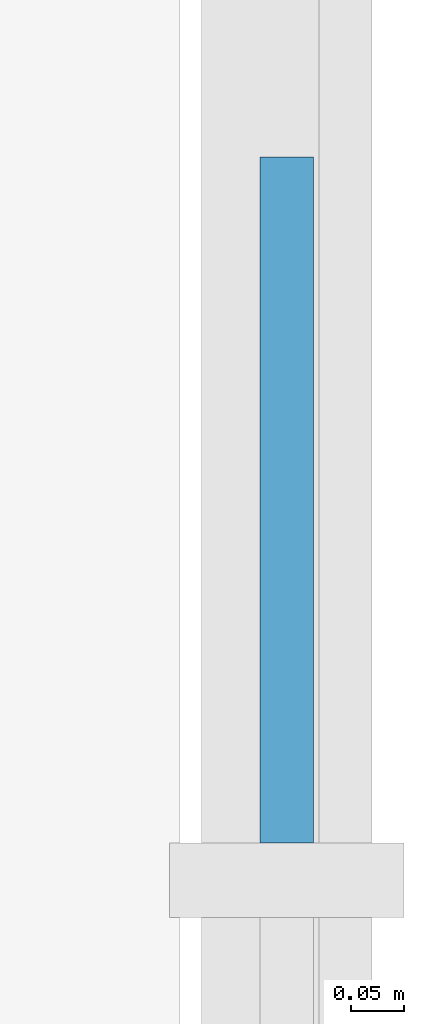
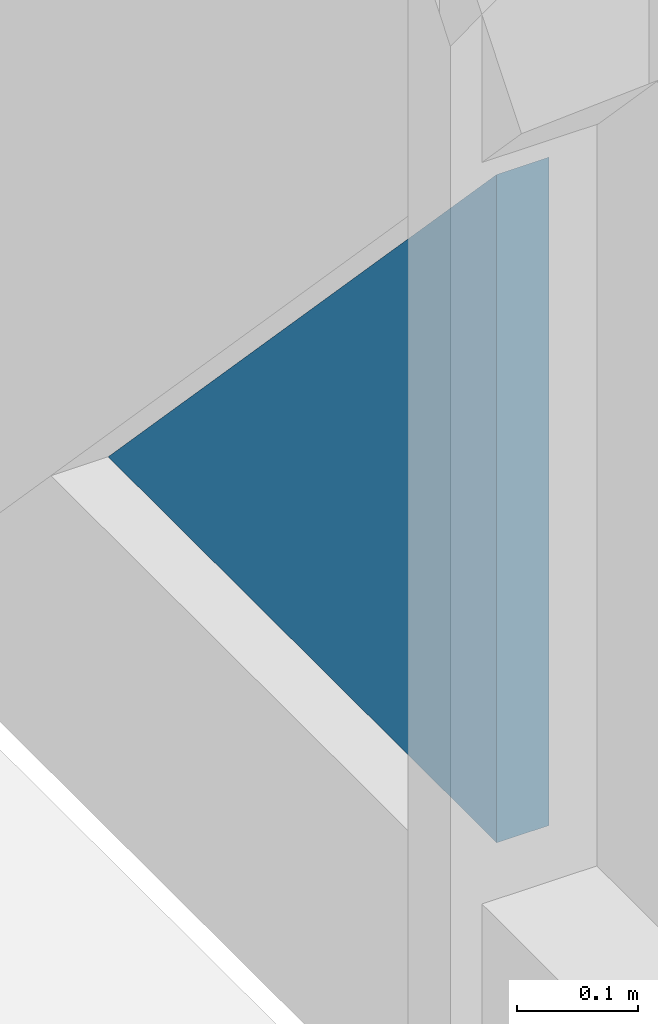
# One storey, part 11 of 17: 1 plate, 1 element without a shape of its own.
"""IFC4 building model written with IfcOpenShell, lengths in metres."""

from ifc_helpers import new_model, si_unit, direction, frame, origin, place, context, subcontext, project, spatial, polyline, outline, extrude, material, layer, layer_set, type_object, element, aggregate, save


model = new_model("IFC4")

# Units and contexts
model_context = context("Model", 3, precision=1e-05, world=origin(), true_north=direction((0.0, 1.0)))
body_context = subcontext(model_context, "Body", "Model", "MODEL_VIEW")
ifc_project = project(units=[si_unit("LENGTHUNIT", "METRE"), si_unit("AREAUNIT", "SQUARE_METRE"), si_unit("VOLUMEUNIT", "CUBIC_METRE"), si_unit("PLANEANGLEUNIT", "RADIAN"), si_unit("MASSUNIT", "GRAM", prefix="KILO")], contexts=[model_context])

# Site, building, storey
site_placement = place(None, origin())
site = spatial("IfcSite", under=ifc_project, at=site_placement, CompositionType="ELEMENT")
building_placement = place(site_placement, origin())
building = spatial("IfcBuilding", under=site, at=building_placement, Name="Rheinbord Bourse Tower", CompositionType="ELEMENT")
storey_placement = place(building_placement, frame((0.0, 0.0, 223.60009765625)))
storey = spatial("IfcBuildingStorey", under=building, at=storey_placement, Name="L50", CompositionType="ELEMENT", Elevation=223.60009765625)

# Curtain wall, plate
ifc_material_1 = material(Name="Dark glass and black aluminium", Category="aluminium")
curtain_wall_type = type_object("IfcCurtainWallType", Name="CW2 DARK GLASS CURTAIN WALL", PredefinedType="USERDEFINED", material=ifc_material_1)
curtain_wall_placement = place(storey_placement, origin())
curtain_wall = element("IfcCurtainWall", 1, at=curtain_wall_placement, inside=storey, type_object=curtain_wall_type, Name="Curtain wall CW2 E L50", ObjectType="UNITISED CURTAIN WALL", PredefinedType="USERDEFINED")
ifc_material_2 = material(Name="Dark tinted triple insulating glass", Category="glass")
ifc_layer = layer(ifc_material_2, 0.050048828125)
ifc_layer_set = layer_set([ifc_layer], Name="CW2 DARK GLASS PANEL")
plate_type = type_object("IfcPlateType", Name="CW2 DARK GLASS PANEL", PredefinedType="CURTAIN_PANEL", material=ifc_layer_set)
plate_placement = place(storey_placement, frame((72.625, 14.235107421875, 0.2998046875), z_axis=(-1.0, 0.0, 0.0), x_axis=(0.0, 0.0, 1.0)))
plate = element("IfcPlate", 2, at=plate_placement, type_object=plate_type, Name="CW2 glass facet 1", PredefinedType="CURTAIN_PANEL", context=body_context, shape_type="SweptSolid", body=[
    extrude(outline(polyline([(0.0, 0.0), (0.676025390625, 0.0), (0.0, 0.643798828125), (0.0, 0.0)])), origin(), (0.0, 0.0, 1.0), 0.050048828125),
])
aggregate(curtain_wall, [plate])

save(model, "model.ifc")
